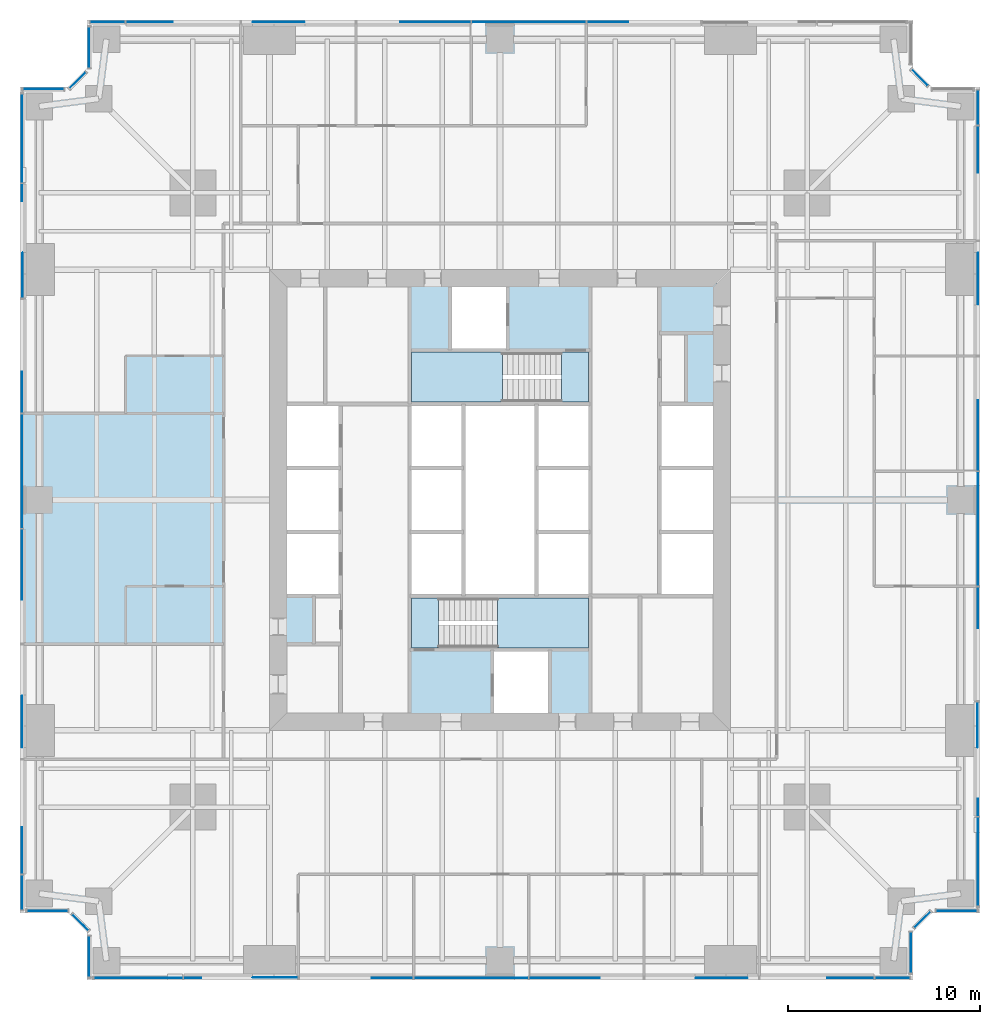
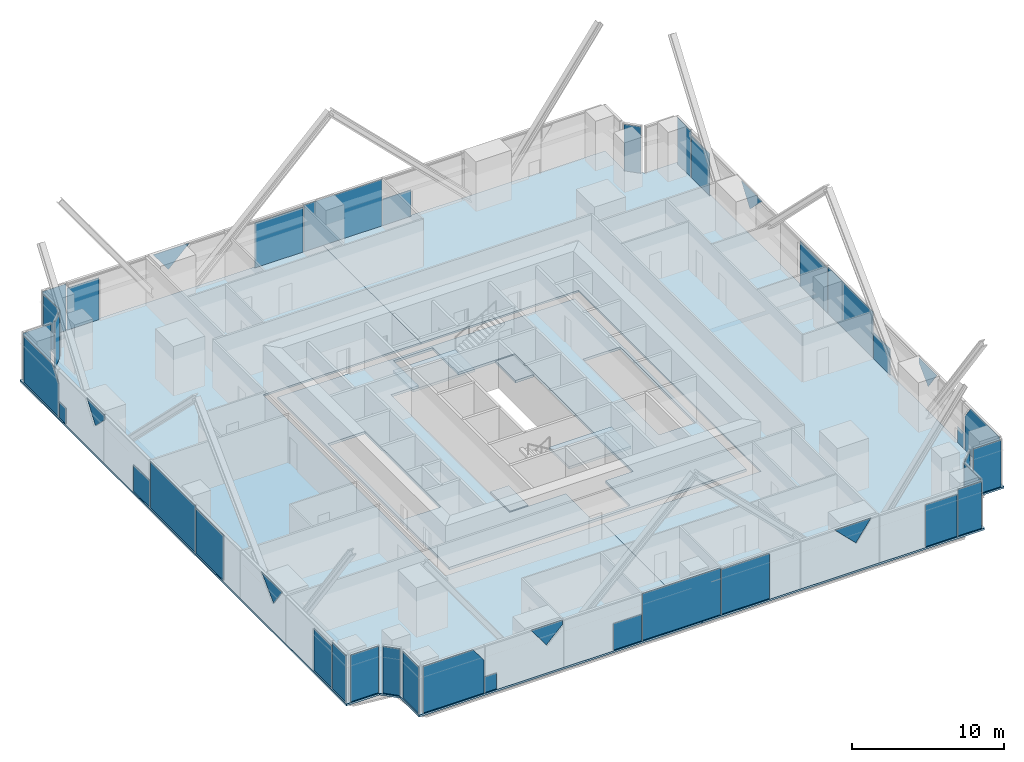
# One storey, part 8 of 14: 43 plates, 7 slabs, 16 elements without a shape of their own.
"""IFC4 building model written with IfcOpenShell, lengths in metres."""

from ifc_helpers import new_model, si_unit, direction, frame, origin, origin_2d, place, context, subcontext, project, spatial, polyline, rectangle, outline, extrude, material, layer, layer_set, type_object, element, aggregate, save


model = new_model("IFC4")

# Units and contexts
model_context = context("Model", 3, precision=1e-05, world=origin(), true_north=direction((0.0, 1.0)))
body_context = subcontext(model_context, "Body", "Model", "MODEL_VIEW")
ifc_project = project(units=[si_unit("LENGTHUNIT", "METRE"), si_unit("AREAUNIT", "SQUARE_METRE"), si_unit("VOLUMEUNIT", "CUBIC_METRE"), si_unit("PLANEANGLEUNIT", "RADIAN"), si_unit("MASSUNIT", "GRAM", prefix="KILO")], contexts=[model_context])

# Site, building, storey
site_placement = place(None, origin())
site = spatial("IfcSite", under=ifc_project, at=site_placement, CompositionType="ELEMENT")
building_placement = place(site_placement, origin())
building = spatial("IfcBuilding", under=site, at=building_placement, Name="Fenwick Lantern Interchange", CompositionType="ELEMENT")
storey_placement = place(building_placement, frame((0.0, 0.0, 79.0)))
storey = spatial("IfcBuildingStorey", under=building, at=storey_placement, Name="L18", CompositionType="ELEMENT", Elevation=79.0)

# Slabs
ifc_material_1 = material(Name="Concrete f'c 35 MPa", Category="concrete")
ifc_layer_1 = layer(ifc_material_1, 0.199951171875)
ifc_layer_set_1 = layer_set([ifc_layer_1], Name="CORE FLOOR SLAB 200")
slab_type_1 = type_object("IfcSlabType", Name="CORE FLOOR SLAB 200", PredefinedType="FLOOR", material=ifc_layer_set_1)
slab_1_placement = place(storey_placement, frame((0.0, 0.0, -0.199951171875)))
element("IfcSlab", 1, at=slab_1_placement, inside=storey, type_object=slab_type_1, Name="L18/SLAB/CORE", PredefinedType="FLOOR", context=body_context, shape_type="SweptSolid", body=[
    extrude(outline(polyline([(13.699951171875, 36.300048828125), (36.300048828125, 36.300048828125), (36.300048828125, 13.699951171875), (13.699951171875, 13.699951171875), (13.699951171875, 36.300048828125)]), holes=[polyline([(13.89990234375, 20.0), (16.699951171875, 20.0), (16.699951171875, 23.333251953125), (16.699951171875, 26.666748046875), (16.699951171875, 30.0), (13.89990234375, 30.0), (13.89990234375, 26.666748046875), (13.89990234375, 23.333251953125), (13.89990234375, 20.0)]), polyline([(20.300048828125, 20.0), (20.300048828125, 17.199951171875), (24.60009765625, 17.199951171875), (24.60009765625, 13.89990234375), (27.60009765625, 13.89990234375), (27.60009765625, 17.199951171875), (29.699951171875, 17.199951171875), (29.699951171875, 20.0), (29.699951171875, 23.333251953125), (29.699951171875, 26.666748046875), (29.699951171875, 30.0), (29.699951171875, 32.800048828125), (25.39990234375, 32.800048828125), (25.39990234375, 36.10009765625), (22.39990234375, 36.10009765625), (22.39990234375, 32.800048828125), (20.300048828125, 32.800048828125), (20.300048828125, 30.0), (20.300048828125, 26.666748046875), (20.300048828125, 23.333251953125), (20.300048828125, 20.0)]), polyline([(33.300048828125, 23.333251953125), (33.300048828125, 20.0), (36.10009765625, 20.0), (36.10009765625, 23.333251953125), (36.10009765625, 26.666748046875), (36.10009765625, 30.0), (33.300048828125, 30.0), (33.300048828125, 26.666748046875), (33.300048828125, 23.333251953125)])]), origin(), (0.0, 0.0, 1.0), 0.199951171875),
])
ifc_material_2 = material(Name="Concrete f'c 35 MPa", Category="concrete")
ifc_layer_2 = layer(ifc_material_2, 0.14990234375)
ifc_layer_set_2 = layer_set([ifc_layer_2], Name="Concrete f'c 35 MPa")
slab_type_2 = type_object("IfcSlabType", Name="FLOOR SLAB 150", PredefinedType="FLOOR", material=ifc_layer_set_2)
slab_2_placement = place(storey_placement, frame((0.0, 0.0, -0.14990234375)))
element("IfcSlab", 2, at=slab_2_placement, inside=storey, type_object=slab_type_2, Name="L18/SLAB/FW", PredefinedType="FLOOR", context=body_context, shape_type="SweptSolid", body=[
    extrude(outline(polyline([(3.5, 0.0), (3.5, 2.5), (2.5, 3.5), (0.0, 3.5), (0.0, 46.5), (2.5, 46.5), (3.5, 47.5), (3.5, 50.0), (25.0, 50.0), (25.0, 37.0), (13.0, 37.0), (13.0, 13.0), (25.0, 13.0), (25.0, 0.0), (3.5, 0.0)])), origin(), (0.0, 0.0, 1.0), 0.14990234375),
])
slab_3_placement = place(storey_placement, frame((0.0, 0.0, -0.14990234375)))
element("IfcSlab", 3, at=slab_3_placement, inside=storey, type_object=slab_type_2, Name="L18/SLAB/FE", PredefinedType="FLOOR", context=body_context, shape_type="SweptSolid", body=[
    extrude(outline(polyline([(46.5, 50.0), (46.5, 47.5), (47.5, 46.5), (50.0, 46.5), (50.0, 3.5), (47.5, 3.5), (46.5, 2.5), (46.5, 0.0), (25.0, 0.0), (25.0, 13.0), (37.0, 13.0), (37.0, 37.0), (25.0, 37.0), (25.0, 50.0), (46.5, 50.0)])), origin(), (0.0, 0.0, 1.0), 0.14990234375),
])

# Curtain wall, plates
ifc_material_3 = material(Name="Aluminium curtain wall frame", Category="aluminium")
curtain_wall_type = type_object("IfcCurtainWallType", Name="OFFICE CURTAIN WALL", PredefinedType="USERDEFINED", material=ifc_material_3)
curtain_wall_1_placement = place(storey_placement, origin())
curtain_wall_1 = element("IfcCurtainWall", 4, at=curtain_wall_1_placement, inside=storey, type_object=curtain_wall_type, Name="Office curtain wall 01", ObjectType="OFFICE CURTAIN WALL", PredefinedType="USERDEFINED")
ifc_material_4 = material(Name="Vision glass, clear low-iron double glazed", Category="glass")
ifc_layer_3 = layer(ifc_material_4, 0.031982421875)
ifc_layer_set_3 = layer_set([ifc_layer_3], Name="OFFICE CURTAIN WALL PANEL 32")
plate_type = type_object("IfcPlateType", Name="OFFICE CURTAIN WALL PANEL 32", PredefinedType="CURTAIN_PANEL", material=ifc_layer_set_3)
plate_1_placement = place(storey_placement, frame((3.60009765625, 0.10009765625, 0.0), z_axis=(0.0, 0.0, 1.0), x_axis=(1.0, 0.0, 0.0)))
plate_1 = element("IfcPlate", 5, at=plate_1_placement, type_object=plate_type, Name="L18/CW/01/P00a", PredefinedType="CURTAIN_PANEL", context=body_context, shape_type="SweptSolid", body=[
    extrude(outline(polyline([(0.264892578125, 0.0), (4.867431640625, 0.0), (4.867431640625, 2.63720703125), (4.07177734375, 3.75), (0.264892578125, 3.75), (0.264892578125, 0.0)])), frame((0.0, 0.01611328125, 0.0), z_axis=(0.0, -1.0, 0.0), x_axis=(1.0, 0.0, 0.0)), (0.0, 0.0, 1.0), 0.031982421875),
])
plate_2_placement = place(storey_placement, frame((3.60009765625, 0.10009765625, 0.0), z_axis=(0.0, 0.0, 1.0), x_axis=(1.0, 0.0, 0.0)))
plate_2 = element("IfcPlate", 6, at=plate_2_placement, type_object=plate_type, Name="L18/CW/01/P01a", PredefinedType="CURTAIN_PANEL", context=body_context, shape_type="SweptSolid", body=[
    extrude(outline(polyline([(4.9326171875, 0.0), (5.842529296875, 0.0), (5.842529296875, 1.27392578125), (4.9326171875, 1.27392578125), (4.9326171875, 0.0)])), frame((0.0, 0.01611328125, 0.0), z_axis=(0.0, -1.0, 0.0), x_axis=(1.0, 0.0, 0.0)), (0.0, 0.0, 1.0), 0.031982421875),
])
plate_3_placement = place(storey_placement, frame((3.60009765625, 0.10009765625, 2.159912109375), z_axis=(0.0, 0.0, 1.0), x_axis=(1.0, 0.0, 0.0)))
plate_3 = element("IfcPlate", 7, at=plate_3_placement, type_object=plate_type, Name="L18/CW/01/P01b", PredefinedType="CURTAIN_PANEL", context=body_context, shape_type="SweptSolid", body=[
    extrude(outline(polyline([(9.634765625, 0.0), (10.867431640625, 1.220947265625), (10.867431640625, 1.590087890625), (8.49755859375, 1.590087890625), (9.634765625, 0.0)])), frame((0.0, 0.0498046875, 0.0), z_axis=(0.0, -1.0, 0.0), x_axis=(1.0, 0.0, 0.0)), (0.0, 0.0, 1.0), 0.031982421875),
])
plate_4_placement = place(storey_placement, frame((3.60009765625, 0.10009765625, 0.0), z_axis=(0.0, 0.0, 1.0), x_axis=(1.0, 0.0, 0.0)))
plate_4 = element("IfcPlate", 8, at=plate_4_placement, type_object=plate_type, Name="L18/CW/01/P02a", PredefinedType="CURTAIN_PANEL", context=body_context, shape_type="SweptSolid", body=[
    extrude(outline(polyline([(14.7197265625, 0.0), (16.867431640625, 0.0), (16.867431640625, 2.12939453125), (14.7197265625, 2.12939453125), (14.7197265625, 0.0)])), frame((0.0, 0.01611328125, 0.0), z_axis=(0.0, -1.0, 0.0), x_axis=(1.0, 0.0, 0.0)), (0.0, 0.0, 1.0), 0.031982421875),
])
plate_5_placement = place(storey_placement, frame((23.5, 0.10009765625, 0.0), z_axis=(0.0, 0.0, 1.0), x_axis=(1.0, 0.0, 0.0)))
plate_5 = element("IfcPlate", 9, at=plate_5_placement, type_object=plate_type, Name="L18/CW/01/P03", PredefinedType="CURTAIN_PANEL", context=body_context, shape_type="SweptSolid", body=[
    extrude(rectangle(XDim=5.93505859375, YDim=0.031982421875, at=origin_2d()), origin(), (0.0, 0.0, 1.0), 3.75),
])
plate_6_placement = place(storey_placement, frame((3.60009765625, 0.10009765625, 0.0), z_axis=(0.0, 0.0, 1.0), x_axis=(1.0, 0.0, 0.0)))
plate_6 = element("IfcPlate", 10, at=plate_6_placement, type_object=plate_type, Name="L18/CW/01/P04a", PredefinedType="CURTAIN_PANEL", context=body_context, shape_type="SweptSolid", body=[
    extrude(outline(polyline([(22.9326171875, 0.0), (26.58251953125, 0.0), (26.58251953125, 3.61279296875), (22.9326171875, 3.61279296875), (22.9326171875, 0.0)])), frame((0.0, 0.01611328125, 0.0), z_axis=(0.0, -1.0, 0.0), x_axis=(1.0, 0.0, 0.0)), (0.0, 0.0, 1.0), 0.031982421875),
])
plate_7_placement = place(storey_placement, frame((3.60009765625, 0.10009765625, 2.159912109375), z_axis=(0.0, 0.0, 1.0), x_axis=(1.0, 0.0, 0.0)))
plate_7 = element("IfcPlate", 11, at=plate_7_placement, type_object=plate_type, Name="L18/CW/01/P05a", PredefinedType="CURTAIN_PANEL", context=body_context, shape_type="SweptSolid", body=[
    extrude(outline(polyline([(33.165283203125, 0.0), (34.302490234375, 1.590087890625), (31.559814453125, 1.590087890625), (33.165283203125, 0.0)])), frame((0.0, 0.01611328125, 0.0), z_axis=(0.0, -1.0, 0.0), x_axis=(1.0, 0.0, 0.0)), (0.0, 0.0, 1.0), 0.031982421875),
])
plate_8_placement = place(storey_placement, frame((3.60009765625, 0.10009765625, 0.0), z_axis=(0.0, 0.0, 1.0), x_axis=(1.0, 0.0, 0.0)))
plate_8 = element("IfcPlate", 12, at=plate_8_placement, type_object=plate_type, Name="L18/CW/01/P06a", PredefinedType="CURTAIN_PANEL", context=body_context, shape_type="SweptSolid", body=[
    extrude(outline(polyline([(38.456298828125, 0.0), (40.867431640625, 0.0), (40.867431640625, 3.36962890625), (38.456298828125, 3.36962890625), (38.456298828125, 0.0)])), frame((0.0, 0.01611328125, 0.0), z_axis=(0.0, -1.0, 0.0), x_axis=(1.0, 0.0, 0.0)), (0.0, 0.0, 1.0), 0.031982421875),
])
plate_9_placement = place(storey_placement, frame((45.433837890625, 0.10009765625, 0.0), z_axis=(0.0, 0.0, 1.0), x_axis=(1.0, 0.0, 0.0)))
plate_9 = element("IfcPlate", 13, at=plate_9_placement, type_object=plate_type, Name="L18/CW/01/P07", PredefinedType="CURTAIN_PANEL", context=body_context, shape_type="SweptSolid", body=[
    extrude(rectangle(XDim=1.802490234375, YDim=0.031982421875, at=origin_2d()), origin(), (0.0, 0.0, 1.0), 3.75),
])
aggregate(curtain_wall_1, [plate_1, plate_2, plate_3, plate_4, plate_5, plate_6, plate_7, plate_8, plate_9])

# Curtain wall, plate
curtain_wall_2_placement = place(storey_placement, origin())
curtain_wall_2 = element("IfcCurtainWall", 14, at=curtain_wall_2_placement, inside=storey, type_object=curtain_wall_type, Name="Office curtain wall 02", ObjectType="OFFICE CURTAIN WALL", PredefinedType="USERDEFINED")
plate_10_placement = place(storey_placement, frame((46.39990234375, 1.420654296875, 0.0), z_axis=(0.0, 0.0, 1.0), x_axis=(0.0, 1.0, 0.0)))
plate_10 = element("IfcPlate", 15, at=plate_10_placement, type_object=plate_type, Name="L18/CW/02/P00", PredefinedType="CURTAIN_PANEL", context=body_context, shape_type="SweptSolid", body=[
    extrude(rectangle(XDim=2.111328125, YDim=0.031982421875, at=origin_2d()), origin(), (0.0, 0.0, 1.0), 3.75),
])
aggregate(curtain_wall_2, [plate_10])

curtain_wall_3_placement = place(storey_placement, origin())
curtain_wall_3 = element("IfcCurtainWall", 16, at=curtain_wall_3_placement, inside=storey, type_object=curtain_wall_type, Name="Office curtain wall 03", ObjectType="OFFICE CURTAIN WALL", PredefinedType="USERDEFINED")
plate_11_placement = place(storey_placement, frame((47.0, 3.141357421875, 0.0), z_axis=(0.0, 0.0, 1.0), x_axis=(0.707106781187, 0.707106781187, 0.0)))
plate_11 = element("IfcPlate", 17, at=plate_11_placement, type_object=plate_type, Name="L18/CW/03/P00", PredefinedType="CURTAIN_PANEL", context=body_context, shape_type="SweptSolid", body=[
    extrude(rectangle(XDim=1.1669921875, YDim=0.031982421875, at=origin_2d()), origin(), (0.0, 0.0, 1.0), 3.75),
])
aggregate(curtain_wall_3, [plate_11])

curtain_wall_4_placement = place(storey_placement, origin())
curtain_wall_4 = element("IfcCurtainWall", 18, at=curtain_wall_4_placement, inside=storey, type_object=curtain_wall_type, Name="Office curtain wall 04", ObjectType="OFFICE CURTAIN WALL", PredefinedType="USERDEFINED")
plate_12_placement = place(storey_placement, frame((48.779296875, 3.60009765625, 0.0), z_axis=(0.0, 0.0, 1.0), x_axis=(1.0, 0.0, 0.0)))
plate_12 = element("IfcPlate", 19, at=plate_12_placement, type_object=plate_type, Name="L18/CW/04/P00", PredefinedType="CURTAIN_PANEL", context=body_context, shape_type="SweptSolid", body=[
    extrude(rectangle(XDim=2.111328125, YDim=0.031982421875, at=origin_2d()), origin(), (0.0, 0.0, 1.0), 3.75),
])
aggregate(curtain_wall_4, [plate_12])

# Curtain wall, plates
curtain_wall_5_placement = place(storey_placement, origin())
curtain_wall_5 = element("IfcCurtainWall", 20, at=curtain_wall_5_placement, inside=storey, type_object=curtain_wall_type, Name="Office curtain wall 05", ObjectType="OFFICE CURTAIN WALL", PredefinedType="USERDEFINED")
plate_13_placement = place(storey_placement, frame((49.89990234375, 3.60009765625, 0.0), z_axis=(0.0, 0.0, 1.0), x_axis=(0.0, 1.0, 0.0)))
plate_13 = element("IfcPlate", 21, at=plate_13_placement, type_object=plate_type, Name="L18/CW/05/P00a", PredefinedType="CURTAIN_PANEL", context=body_context, shape_type="SweptSolid", body=[
    extrude(outline(polyline([(0.264892578125, 0.0), (4.867431640625, 0.0), (4.867431640625, 2.63720703125), (4.07177734375, 3.75), (0.264892578125, 3.75), (0.264892578125, 0.0)])), frame((0.0, 0.01611328125, 0.0), z_axis=(0.0, -1.0, 0.0), x_axis=(1.0, 0.0, 0.0)), (0.0, 0.0, 1.0), 0.031982421875),
])
plate_14_placement = place(storey_placement, frame((49.89990234375, 3.60009765625, 0.0), z_axis=(0.0, 0.0, 1.0), x_axis=(0.0, 1.0, 0.0)))
plate_14 = element("IfcPlate", 22, at=plate_14_placement, type_object=plate_type, Name="L18/CW/05/P01a", PredefinedType="CURTAIN_PANEL", context=body_context, shape_type="SweptSolid", body=[
    extrude(outline(polyline([(4.9326171875, 0.0), (5.842529296875, 0.0), (5.842529296875, 1.27392578125), (4.9326171875, 1.27392578125), (4.9326171875, 0.0)])), frame((0.0, 0.01611328125, 0.0), z_axis=(0.0, -1.0, 0.0), x_axis=(1.0, 0.0, 0.0)), (0.0, 0.0, 1.0), 0.031982421875),
])
plate_15_placement = place(storey_placement, frame((49.89990234375, 3.60009765625, 2.159912109375), z_axis=(0.0, 0.0, 1.0), x_axis=(0.0, 1.0, 0.0)))
plate_15 = element("IfcPlate", 23, at=plate_15_placement, type_object=plate_type, Name="L18/CW/05/P01b", PredefinedType="CURTAIN_PANEL", context=body_context, shape_type="SweptSolid", body=[
    extrude(outline(polyline([(9.634765625, 0.0), (10.867431640625, 1.220947265625), (10.867431640625, 1.590087890625), (8.49755859375, 1.590087890625), (9.634765625, 0.0)])), frame((0.0, 0.0498046875, 0.0), z_axis=(0.0, -1.0, 0.0), x_axis=(1.0, 0.0, 0.0)), (0.0, 0.0, 1.0), 0.031982421875),
])
plate_16_placement = place(storey_placement, frame((49.89990234375, 3.60009765625, 0.0), z_axis=(0.0, 0.0, 1.0), x_axis=(0.0, 1.0, 0.0)))
plate_16 = element("IfcPlate", 24, at=plate_16_placement, type_object=plate_type, Name="L18/CW/05/P02a", PredefinedType="CURTAIN_PANEL", context=body_context, shape_type="SweptSolid", body=[
    extrude(outline(polyline([(14.7197265625, 0.0), (16.867431640625, 0.0), (16.867431640625, 2.12939453125), (14.7197265625, 2.12939453125), (14.7197265625, 0.0)])), frame((0.0, 0.01611328125, 0.0), z_axis=(0.0, -1.0, 0.0), x_axis=(1.0, 0.0, 0.0)), (0.0, 0.0, 1.0), 0.031982421875),
])
plate_17_placement = place(storey_placement, frame((49.89990234375, 23.5, 0.0), z_axis=(0.0, 0.0, 1.0), x_axis=(0.0, 1.0, 0.0)))
plate_17 = element("IfcPlate", 25, at=plate_17_placement, type_object=plate_type, Name="L18/CW/05/P03", PredefinedType="CURTAIN_PANEL", context=body_context, shape_type="SweptSolid", body=[
    extrude(rectangle(XDim=5.93505859375, YDim=0.031982421875, at=origin_2d()), origin(), (0.0, 0.0, 1.0), 3.75),
])
plate_18_placement = place(storey_placement, frame((49.89990234375, 3.60009765625, 0.0), z_axis=(0.0, 0.0, 1.0), x_axis=(0.0, 1.0, 0.0)))
plate_18 = element("IfcPlate", 26, at=plate_18_placement, type_object=plate_type, Name="L18/CW/05/P04a", PredefinedType="CURTAIN_PANEL", context=body_context, shape_type="SweptSolid", body=[
    extrude(outline(polyline([(22.9326171875, 0.0), (26.58251953125, 0.0), (26.58251953125, 3.61279296875), (22.9326171875, 3.61279296875), (22.9326171875, 0.0)])), frame((0.0, 0.01611328125, 0.0), z_axis=(0.0, -1.0, 0.0), x_axis=(1.0, 0.0, 0.0)), (0.0, 0.0, 1.0), 0.031982421875),
])
plate_19_placement = place(storey_placement, frame((49.89990234375, 3.60009765625, 2.159912109375), z_axis=(0.0, 0.0, 1.0), x_axis=(0.0, 1.0, 0.0)))
plate_19 = element("IfcPlate", 27, at=plate_19_placement, type_object=plate_type, Name="L18/CW/05/P05a", PredefinedType="CURTAIN_PANEL", context=body_context, shape_type="SweptSolid", body=[
    extrude(outline(polyline([(33.165283203125, 0.0), (34.302490234375, 1.590087890625), (31.559814453125, 1.590087890625), (33.165283203125, 0.0)])), frame((0.0, 0.01611328125, 0.0), z_axis=(0.0, -1.0, 0.0), x_axis=(1.0, 0.0, 0.0)), (0.0, 0.0, 1.0), 0.031982421875),
])
plate_20_placement = place(storey_placement, frame((49.89990234375, 3.60009765625, 0.0), z_axis=(0.0, 0.0, 1.0), x_axis=(0.0, 1.0, 0.0)))
plate_20 = element("IfcPlate", 28, at=plate_20_placement, type_object=plate_type, Name="L18/CW/05/P06a", PredefinedType="CURTAIN_PANEL", context=body_context, shape_type="SweptSolid", body=[
    extrude(outline(polyline([(38.456298828125, 0.0), (40.867431640625, 0.0), (40.867431640625, 3.36962890625), (38.456298828125, 3.36962890625), (38.456298828125, 0.0)])), frame((0.0, 0.01611328125, 0.0), z_axis=(0.0, -1.0, 0.0), x_axis=(1.0, 0.0, 0.0)), (0.0, 0.0, 1.0), 0.031982421875),
])
plate_21_placement = place(storey_placement, frame((49.89990234375, 45.433837890625, 0.0), z_axis=(0.0, 0.0, 1.0), x_axis=(0.0, 1.0, 0.0)))
plate_21 = element("IfcPlate", 29, at=plate_21_placement, type_object=plate_type, Name="L18/CW/05/P07", PredefinedType="CURTAIN_PANEL", context=body_context, shape_type="SweptSolid", body=[
    extrude(rectangle(XDim=1.802490234375, YDim=0.031982421875, at=origin_2d()), origin(), (0.0, 0.0, 1.0), 3.75),
])
aggregate(curtain_wall_5, [plate_13, plate_14, plate_15, plate_16, plate_17, plate_18, plate_19, plate_20, plate_21])

# Curtain wall, plate
curtain_wall_6_placement = place(storey_placement, origin())
curtain_wall_6 = element("IfcCurtainWall", 30, at=curtain_wall_6_placement, inside=storey, type_object=curtain_wall_type, Name="Office curtain wall 07", ObjectType="OFFICE CURTAIN WALL", PredefinedType="USERDEFINED")
plate_22_placement = place(storey_placement, frame((46.858642578125, 47.0, 0.0), z_axis=(0.0, 0.0, 1.0), x_axis=(-0.707106781187, 0.707106781187, 0.0)))
plate_22 = element("IfcPlate", 31, at=plate_22_placement, type_object=plate_type, Name="L18/CW/07/P00", PredefinedType="CURTAIN_PANEL", context=body_context, shape_type="SweptSolid", body=[
    extrude(rectangle(XDim=1.1669921875, YDim=0.031982421875, at=origin_2d()), origin(), (0.0, 0.0, 1.0), 3.75),
])
aggregate(curtain_wall_6, [plate_22])

# Curtain wall, plates
curtain_wall_7_placement = place(storey_placement, origin())
curtain_wall_7 = element("IfcCurtainWall", 32, at=curtain_wall_7_placement, inside=storey, type_object=curtain_wall_type, Name="Office curtain wall 09", ObjectType="OFFICE CURTAIN WALL", PredefinedType="USERDEFINED")
plate_23_placement = place(storey_placement, frame((46.39990234375, 49.89990234375, 0.0), z_axis=(0.0, 0.0, 1.0), x_axis=(-1.0, 0.0, 0.0)))
plate_23 = element("IfcPlate", 33, at=plate_23_placement, type_object=plate_type, Name="L18/CW/09/P02a", PredefinedType="CURTAIN_PANEL", context=body_context, shape_type="SweptSolid", body=[
    extrude(outline(polyline([(14.7197265625, 0.0), (16.867431640625, 0.0), (16.867431640625, 2.12939453125), (14.7197265625, 2.12939453125), (14.7197265625, 0.0)])), frame((0.0, 0.01611328125, 0.0), z_axis=(0.0, -1.0, 0.0), x_axis=(1.0, 0.0, 0.0)), (0.0, 0.0, 1.0), 0.031982421875),
])
plate_24_placement = place(storey_placement, frame((26.5, 49.89990234375, 0.0), z_axis=(0.0, 0.0, 1.0), x_axis=(-1.0, 0.0, 0.0)))
plate_24 = element("IfcPlate", 34, at=plate_24_placement, type_object=plate_type, Name="L18/CW/09/P03", PredefinedType="CURTAIN_PANEL", context=body_context, shape_type="SweptSolid", body=[
    extrude(rectangle(XDim=5.93505859375, YDim=0.031982421875, at=origin_2d()), origin(), (0.0, 0.0, 1.0), 3.75),
])
plate_25_placement = place(storey_placement, frame((46.39990234375, 49.89990234375, 0.0), z_axis=(0.0, 0.0, 1.0), x_axis=(-1.0, 0.0, 0.0)))
plate_25 = element("IfcPlate", 35, at=plate_25_placement, type_object=plate_type, Name="L18/CW/09/P04a", PredefinedType="CURTAIN_PANEL", context=body_context, shape_type="SweptSolid", body=[
    extrude(outline(polyline([(22.9326171875, 0.0), (26.58251953125, 0.0), (26.58251953125, 3.61279296875), (22.9326171875, 3.61279296875), (22.9326171875, 0.0)])), frame((0.0, 0.01611328125, 0.0), z_axis=(0.0, -1.0, 0.0), x_axis=(1.0, 0.0, 0.0)), (0.0, 0.0, 1.0), 0.031982421875),
])
plate_26_placement = place(storey_placement, frame((46.39990234375, 49.89990234375, 2.159912109375), z_axis=(0.0, 0.0, 1.0), x_axis=(-1.0, 0.0, 0.0)))
plate_26 = element("IfcPlate", 36, at=plate_26_placement, type_object=plate_type, Name="L18/CW/09/P05a", PredefinedType="CURTAIN_PANEL", context=body_context, shape_type="SweptSolid", body=[
    extrude(outline(polyline([(33.165283203125, 0.0), (34.302490234375, 1.590087890625), (31.559814453125, 1.590087890625), (33.165283203125, 0.0)])), frame((0.0, 0.01611328125, 0.0), z_axis=(0.0, -1.0, 0.0), x_axis=(1.0, 0.0, 0.0)), (0.0, 0.0, 1.0), 0.031982421875),
])
plate_27_placement = place(storey_placement, frame((46.39990234375, 49.89990234375, 0.0), z_axis=(0.0, 0.0, 1.0), x_axis=(-1.0, 0.0, 0.0)))
plate_27 = element("IfcPlate", 37, at=plate_27_placement, type_object=plate_type, Name="L18/CW/09/P06a", PredefinedType="CURTAIN_PANEL", context=body_context, shape_type="SweptSolid", body=[
    extrude(outline(polyline([(38.456298828125, 0.0), (40.867431640625, 0.0), (40.867431640625, 3.36962890625), (38.456298828125, 3.36962890625), (38.456298828125, 0.0)])), frame((0.0, 0.01611328125, 0.0), z_axis=(0.0, -1.0, 0.0), x_axis=(1.0, 0.0, 0.0)), (0.0, 0.0, 1.0), 0.031982421875),
])
plate_28_placement = place(storey_placement, frame((4.566162109375, 49.89990234375, 0.0), z_axis=(0.0, 0.0, 1.0), x_axis=(-1.0, 0.0, 0.0)))
plate_28 = element("IfcPlate", 38, at=plate_28_placement, type_object=plate_type, Name="L18/CW/09/P07", PredefinedType="CURTAIN_PANEL", context=body_context, shape_type="SweptSolid", body=[
    extrude(rectangle(XDim=1.802490234375, YDim=0.031982421875, at=origin_2d()), origin(), (0.0, 0.0, 1.0), 3.75),
])
aggregate(curtain_wall_7, [plate_23, plate_24, plate_25, plate_26, plate_27, plate_28])

# Curtain wall, plate
curtain_wall_8_placement = place(storey_placement, origin())
curtain_wall_8 = element("IfcCurtainWall", 39, at=curtain_wall_8_placement, inside=storey, type_object=curtain_wall_type, Name="Office curtain wall 10", ObjectType="OFFICE CURTAIN WALL", PredefinedType="USERDEFINED")
plate_29_placement = place(storey_placement, frame((3.60009765625, 48.579345703125, 0.0), z_axis=(0.0, 0.0, 1.0), x_axis=(0.0, -1.0, 0.0)))
plate_29 = element("IfcPlate", 40, at=plate_29_placement, type_object=plate_type, Name="L18/CW/10/P00", PredefinedType="CURTAIN_PANEL", context=body_context, shape_type="SweptSolid", body=[
    extrude(rectangle(XDim=2.111328125, YDim=0.031982421875, at=origin_2d()), origin(), (0.0, 0.0, 1.0), 3.75),
])
aggregate(curtain_wall_8, [plate_29])

curtain_wall_9_placement = place(storey_placement, origin())
curtain_wall_9 = element("IfcCurtainWall", 41, at=curtain_wall_9_placement, inside=storey, type_object=curtain_wall_type, Name="Office curtain wall 11", ObjectType="OFFICE CURTAIN WALL", PredefinedType="USERDEFINED")
plate_30_placement = place(storey_placement, frame((3.0, 46.858642578125, 0.0), z_axis=(0.0, 0.0, 1.0), x_axis=(-0.707106781187, -0.707106781187, 0.0)))
plate_30 = element("IfcPlate", 42, at=plate_30_placement, type_object=plate_type, Name="L18/CW/11/P00", PredefinedType="CURTAIN_PANEL", context=body_context, shape_type="SweptSolid", body=[
    extrude(rectangle(XDim=1.1669921875, YDim=0.031982421875, at=origin_2d()), origin(), (0.0, 0.0, 1.0), 3.75),
])
aggregate(curtain_wall_9, [plate_30])

curtain_wall_10_placement = place(storey_placement, origin())
curtain_wall_10 = element("IfcCurtainWall", 43, at=curtain_wall_10_placement, inside=storey, type_object=curtain_wall_type, Name="Office curtain wall 12", ObjectType="OFFICE CURTAIN WALL", PredefinedType="USERDEFINED")
plate_31_placement = place(storey_placement, frame((1.220703125, 46.39990234375, 0.0), z_axis=(0.0, 0.0, 1.0), x_axis=(-1.0, 0.0, 0.0)))
plate_31 = element("IfcPlate", 44, at=plate_31_placement, type_object=plate_type, Name="L18/CW/12/P00", PredefinedType="CURTAIN_PANEL", context=body_context, shape_type="SweptSolid", body=[
    extrude(rectangle(XDim=2.111328125, YDim=0.031982421875, at=origin_2d()), origin(), (0.0, 0.0, 1.0), 3.75),
])
aggregate(curtain_wall_10, [plate_31])

# Curtain wall, plates
curtain_wall_11_placement = place(storey_placement, origin())
curtain_wall_11 = element("IfcCurtainWall", 45, at=curtain_wall_11_placement, inside=storey, type_object=curtain_wall_type, Name="Office curtain wall 13", ObjectType="OFFICE CURTAIN WALL", PredefinedType="USERDEFINED")
plate_32_placement = place(storey_placement, frame((0.10009765625, 46.39990234375, 0.0), z_axis=(0.0, 0.0, 1.0), x_axis=(0.0, -1.0, 0.0)))
plate_32 = element("IfcPlate", 46, at=plate_32_placement, type_object=plate_type, Name="L18/CW/13/P00a", PredefinedType="CURTAIN_PANEL", context=body_context, shape_type="SweptSolid", body=[
    extrude(outline(polyline([(0.264892578125, 0.0), (4.867431640625, 0.0), (4.867431640625, 2.63720703125), (4.07177734375, 3.75), (0.264892578125, 3.75), (0.264892578125, 0.0)])), frame((0.0, 0.01611328125, 0.0), z_axis=(0.0, -1.0, 0.0), x_axis=(1.0, 0.0, 0.0)), (0.0, 0.0, 1.0), 0.031982421875),
])
plate_33_placement = place(storey_placement, frame((0.10009765625, 46.39990234375, 0.0), z_axis=(0.0, 0.0, 1.0), x_axis=(0.0, -1.0, 0.0)))
plate_33 = element("IfcPlate", 47, at=plate_33_placement, type_object=plate_type, Name="L18/CW/13/P01a", PredefinedType="CURTAIN_PANEL", context=body_context, shape_type="SweptSolid", body=[
    extrude(outline(polyline([(4.9326171875, 0.0), (5.842529296875, 0.0), (5.842529296875, 1.27392578125), (4.9326171875, 1.27392578125), (4.9326171875, 0.0)])), frame((0.0, 0.01611328125, 0.0), z_axis=(0.0, -1.0, 0.0), x_axis=(1.0, 0.0, 0.0)), (0.0, 0.0, 1.0), 0.031982421875),
])
plate_34_placement = place(storey_placement, frame((0.10009765625, 46.39990234375, 2.159912109375), z_axis=(0.0, 0.0, 1.0), x_axis=(0.0, -1.0, 0.0)))
plate_34 = element("IfcPlate", 48, at=plate_34_placement, type_object=plate_type, Name="L18/CW/13/P01b", PredefinedType="CURTAIN_PANEL", context=body_context, shape_type="SweptSolid", body=[
    extrude(outline(polyline([(9.634765625, 0.0), (10.867431640625, 1.220947265625), (10.867431640625, 1.590087890625), (8.49755859375, 1.590087890625), (9.634765625, 0.0)])), frame((0.0, 0.0498046875, 0.0), z_axis=(0.0, -1.0, 0.0), x_axis=(1.0, 0.0, 0.0)), (0.0, 0.0, 1.0), 0.031982421875),
])
plate_35_placement = place(storey_placement, frame((0.10009765625, 46.39990234375, 0.0), z_axis=(0.0, 0.0, 1.0), x_axis=(0.0, -1.0, 0.0)))
plate_35 = element("IfcPlate", 49, at=plate_35_placement, type_object=plate_type, Name="L18/CW/13/P02a", PredefinedType="CURTAIN_PANEL", context=body_context, shape_type="SweptSolid", body=[
    extrude(outline(polyline([(14.7197265625, 0.0), (16.867431640625, 0.0), (16.867431640625, 2.12939453125), (14.7197265625, 2.12939453125), (14.7197265625, 0.0)])), frame((0.0, 0.01611328125, 0.0), z_axis=(0.0, -1.0, 0.0), x_axis=(1.0, 0.0, 0.0)), (0.0, 0.0, 1.0), 0.031982421875),
])
plate_36_placement = place(storey_placement, frame((0.10009765625, 26.5, 0.0), z_axis=(0.0, 0.0, 1.0), x_axis=(0.0, -1.0, 0.0)))
plate_36 = element("IfcPlate", 50, at=plate_36_placement, type_object=plate_type, Name="L18/CW/13/P03", PredefinedType="CURTAIN_PANEL", context=body_context, shape_type="SweptSolid", body=[
    extrude(rectangle(XDim=5.93505859375, YDim=0.031982421875, at=origin_2d()), origin(), (0.0, 0.0, 1.0), 3.75),
])
plate_37_placement = place(storey_placement, frame((0.10009765625, 46.39990234375, 0.0), z_axis=(0.0, 0.0, 1.0), x_axis=(0.0, -1.0, 0.0)))
plate_37 = element("IfcPlate", 51, at=plate_37_placement, type_object=plate_type, Name="L18/CW/13/P04a", PredefinedType="CURTAIN_PANEL", context=body_context, shape_type="SweptSolid", body=[
    extrude(outline(polyline([(22.9326171875, 0.0), (26.58251953125, 0.0), (26.58251953125, 3.61279296875), (22.9326171875, 3.61279296875), (22.9326171875, 0.0)])), frame((0.0, 0.01611328125, 0.0), z_axis=(0.0, -1.0, 0.0), x_axis=(1.0, 0.0, 0.0)), (0.0, 0.0, 1.0), 0.031982421875),
])
plate_38_placement = place(storey_placement, frame((0.10009765625, 46.39990234375, 2.159912109375), z_axis=(0.0, 0.0, 1.0), x_axis=(0.0, -1.0, 0.0)))
plate_38 = element("IfcPlate", 52, at=plate_38_placement, type_object=plate_type, Name="L18/CW/13/P05a", PredefinedType="CURTAIN_PANEL", context=body_context, shape_type="SweptSolid", body=[
    extrude(outline(polyline([(33.165283203125, 0.0), (34.302490234375, 1.590087890625), (31.559814453125, 1.590087890625), (33.165283203125, 0.0)])), frame((0.0, 0.01611328125, 0.0), z_axis=(0.0, -1.0, 0.0), x_axis=(1.0, 0.0, 0.0)), (0.0, 0.0, 1.0), 0.031982421875),
])
plate_39_placement = place(storey_placement, frame((0.10009765625, 46.39990234375, 0.0), z_axis=(0.0, 0.0, 1.0), x_axis=(0.0, -1.0, 0.0)))
plate_39 = element("IfcPlate", 53, at=plate_39_placement, type_object=plate_type, Name="L18/CW/13/P06a", PredefinedType="CURTAIN_PANEL", context=body_context, shape_type="SweptSolid", body=[
    extrude(outline(polyline([(38.456298828125, 0.0), (40.867431640625, 0.0), (40.867431640625, 3.36962890625), (38.456298828125, 3.36962890625), (38.456298828125, 0.0)])), frame((0.0, 0.01611328125, 0.0), z_axis=(0.0, -1.0, 0.0), x_axis=(1.0, 0.0, 0.0)), (0.0, 0.0, 1.0), 0.031982421875),
])
plate_40_placement = place(storey_placement, frame((0.10009765625, 4.566162109375, 0.0), z_axis=(0.0, 0.0, 1.0), x_axis=(0.0, -1.0, 0.0)))
plate_40 = element("IfcPlate", 54, at=plate_40_placement, type_object=plate_type, Name="L18/CW/13/P07", PredefinedType="CURTAIN_PANEL", context=body_context, shape_type="SweptSolid", body=[
    extrude(rectangle(XDim=1.802490234375, YDim=0.031982421875, at=origin_2d()), origin(), (0.0, 0.0, 1.0), 3.75),
])
aggregate(curtain_wall_11, [plate_32, plate_33, plate_34, plate_35, plate_36, plate_37, plate_38, plate_39, plate_40])

# Curtain wall, plate
curtain_wall_12_placement = place(storey_placement, origin())
curtain_wall_12 = element("IfcCurtainWall", 55, at=curtain_wall_12_placement, inside=storey, type_object=curtain_wall_type, Name="Office curtain wall 14", ObjectType="OFFICE CURTAIN WALL", PredefinedType="USERDEFINED")
plate_41_placement = place(storey_placement, frame((1.420654296875, 3.60009765625, 0.0), z_axis=(0.0, 0.0, 1.0), x_axis=(1.0, 0.0, 0.0)))
plate_41 = element("IfcPlate", 56, at=plate_41_placement, type_object=plate_type, Name="L18/CW/14/P00", PredefinedType="CURTAIN_PANEL", context=body_context, shape_type="SweptSolid", body=[
    extrude(rectangle(XDim=2.111328125, YDim=0.031982421875, at=origin_2d()), origin(), (0.0, 0.0, 1.0), 3.75),
])
aggregate(curtain_wall_12, [plate_41])

curtain_wall_13_placement = place(storey_placement, origin())
curtain_wall_13 = element("IfcCurtainWall", 57, at=curtain_wall_13_placement, inside=storey, type_object=curtain_wall_type, Name="Office curtain wall 15", ObjectType="OFFICE CURTAIN WALL", PredefinedType="USERDEFINED")
plate_42_placement = place(storey_placement, frame((3.141357421875, 3.0, 0.0), z_axis=(0.0, 0.0, 1.0), x_axis=(0.707106781187, -0.707106781187, 0.0)))
plate_42 = element("IfcPlate", 58, at=plate_42_placement, type_object=plate_type, Name="L18/CW/15/P00", PredefinedType="CURTAIN_PANEL", context=body_context, shape_type="SweptSolid", body=[
    extrude(rectangle(XDim=1.1669921875, YDim=0.031982421875, at=origin_2d()), origin(), (0.0, 0.0, 1.0), 3.75),
])
aggregate(curtain_wall_13, [plate_42])

curtain_wall_14_placement = place(storey_placement, origin())
curtain_wall_14 = element("IfcCurtainWall", 59, at=curtain_wall_14_placement, inside=storey, type_object=curtain_wall_type, Name="Office curtain wall 16", ObjectType="OFFICE CURTAIN WALL", PredefinedType="USERDEFINED")
plate_43_placement = place(storey_placement, frame((3.60009765625, 1.220703125, 0.0), z_axis=(0.0, 0.0, 1.0), x_axis=(0.0, -1.0, 0.0)))
plate_43 = element("IfcPlate", 60, at=plate_43_placement, type_object=plate_type, Name="L18/CW/16/P00", PredefinedType="CURTAIN_PANEL", context=body_context, shape_type="SweptSolid", body=[
    extrude(rectangle(XDim=2.111328125, YDim=0.031982421875, at=origin_2d()), origin(), (0.0, 0.0, 1.0), 3.75),
])
aggregate(curtain_wall_14, [plate_43])

# Stair, slabs
ifc_material_5 = material(Name="Precast concrete f'c 35 MPa", Category="concrete")
stair_type = type_object("IfcStairType", Name="EXIT STAIR 1200", PredefinedType="HALF_TURN_STAIR", material=ifc_material_5)
stair_1_placement = place(storey_placement, origin())
stair_1 = element("IfcStair", 61, at=stair_1_placement, inside=storey, type_object=stair_type, Name="Exit stair ST1", PredefinedType="HALF_TURN_STAIR")
ifc_layer_4 = layer(ifc_material_1, 0.199951171875)
ifc_layer_set_4 = layer_set([ifc_layer_4], Name="STAIR LANDING 200")
slab_type_3 = type_object("IfcSlabType", Name="STAIR LANDING 200", PredefinedType="LANDING", material=ifc_layer_set_4)
slab_4_placement = place(storey_placement, frame((0.0, 0.0, 1.800048828125)))
slab_4 = element("IfcSlab", 62, at=slab_4_placement, type_object=slab_type_3, Name="ST1 landing 1", PredefinedType="LANDING", context=body_context, shape_type="SweptSolid", body=[
    extrude(outline(polyline([(24.8798828125, 17.300048828125), (29.60009765625, 17.300048828125), (29.60009765625, 19.89990234375), (24.8798828125, 19.89990234375), (24.8798828125, 17.300048828125)])), origin(), (0.0, 0.0, 1.0), 0.199951171875),
])
slab_5_placement = place(storey_placement, frame((0.0, 0.0, -0.199951171875)))
slab_5 = element("IfcSlab", 63, at=slab_5_placement, type_object=slab_type_3, Name="ST1 landing 2", PredefinedType="LANDING", context=body_context, shape_type="SweptSolid", body=[
    extrude(outline(polyline([(20.39990234375, 17.300048828125), (21.800048828125, 17.300048828125), (21.800048828125, 19.89990234375), (20.39990234375, 19.89990234375), (20.39990234375, 17.300048828125)])), origin(), (0.0, 0.0, 1.0), 0.199951171875),
])
aggregate(stair_1, [slab_4, slab_5])

stair_2_placement = place(storey_placement, origin())
stair_2 = element("IfcStair", 64, at=stair_2_placement, inside=storey, type_object=stair_type, Name="Exit stair ST2", PredefinedType="HALF_TURN_STAIR")
slab_6_placement = place(storey_placement, frame((0.0, 0.0, 1.800048828125)))
slab_6 = element("IfcSlab", 65, at=slab_6_placement, type_object=slab_type_3, Name="ST2 landing 1", PredefinedType="LANDING", context=body_context, shape_type="SweptSolid", body=[
    extrude(outline(polyline([(25.1201171875, 32.699951171875), (20.39990234375, 32.699951171875), (20.39990234375, 30.10009765625), (25.1201171875, 30.10009765625), (25.1201171875, 32.699951171875)])), origin(), (0.0, 0.0, 1.0), 0.199951171875),
])
slab_7_placement = place(storey_placement, frame((0.0, 0.0, -0.199951171875)))
slab_7 = element("IfcSlab", 66, at=slab_7_placement, type_object=slab_type_3, Name="ST2 landing 2", PredefinedType="LANDING", context=body_context, shape_type="SweptSolid", body=[
    extrude(outline(polyline([(29.60009765625, 32.699951171875), (28.199951171875, 32.699951171875), (28.199951171875, 30.10009765625), (29.60009765625, 30.10009765625), (29.60009765625, 32.699951171875)])), origin(), (0.0, 0.0, 1.0), 0.199951171875),
])
aggregate(stair_2, [slab_6, slab_7])

save(model, "model.ifc")
